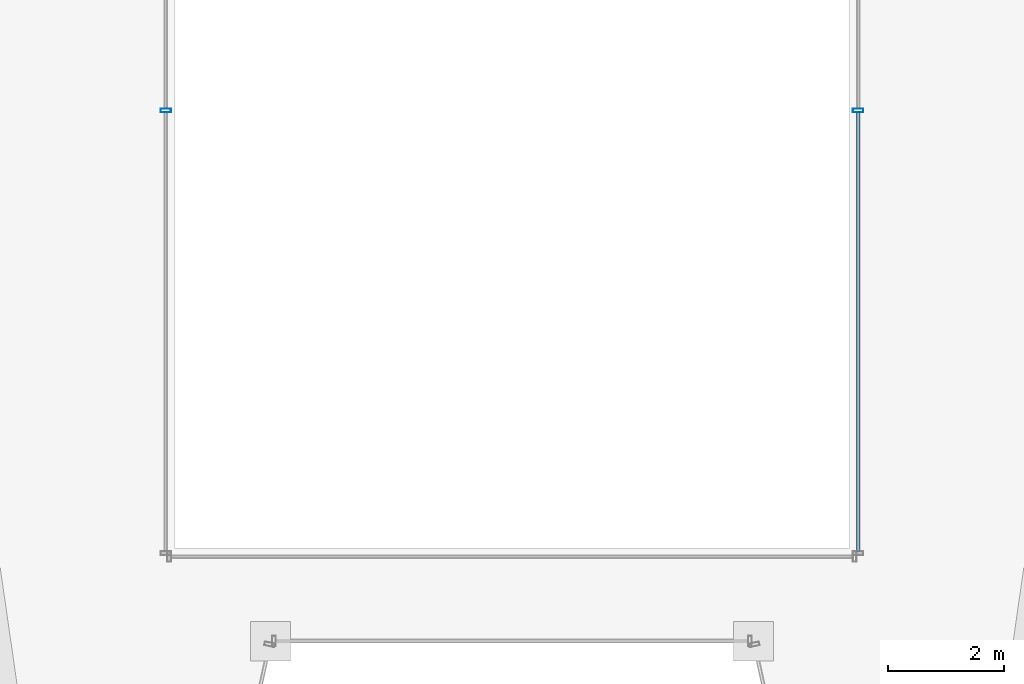
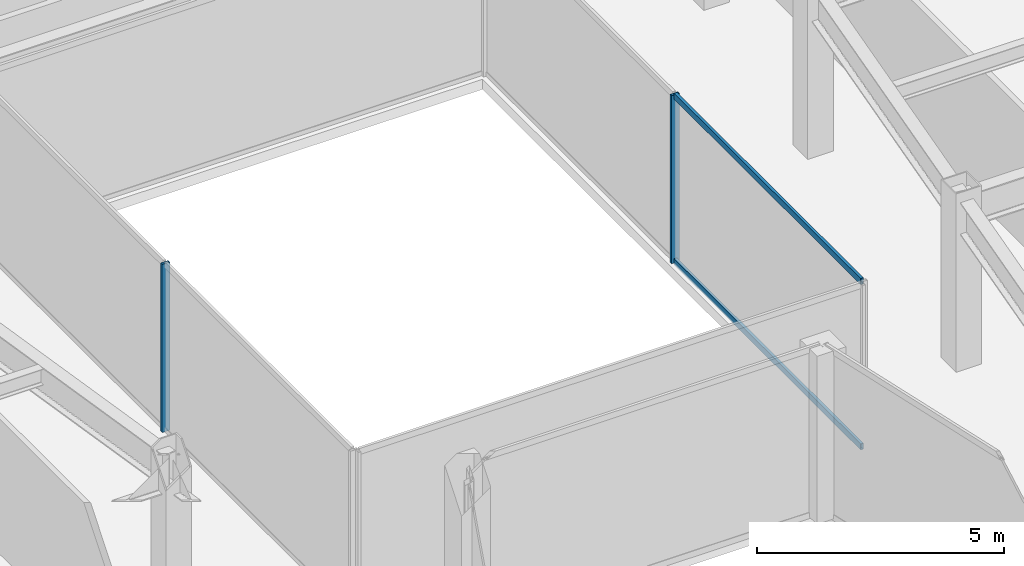
# One storey, part 11 of 37: 4 members, 2 elements without a shape of their own.
"""IFC4 building model written with IfcOpenShell, lengths in metres."""

from ifc_helpers import new_model, si_unit, direction, frame, origin, origin_2d, place, context, subcontext, project, spatial, hollow_rectangle, extrude, material, material_profile, profile_set, type_object, element, aggregate, save


model = new_model("IFC4")

# Units and contexts
model_context = context("Model", 3, precision=1e-05, world=origin(), true_north=direction((0.0, 1.0)))
body_context = subcontext(model_context, "Body", "Model", "MODEL_VIEW")
ifc_project = project(units=[si_unit("LENGTHUNIT", "METRE"), si_unit("AREAUNIT", "SQUARE_METRE"), si_unit("VOLUMEUNIT", "CUBIC_METRE"), si_unit("PLANEANGLEUNIT", "RADIAN"), si_unit("MASSUNIT", "GRAM", prefix="KILO")], contexts=[model_context])

# Site, building, storey
site_placement = place(None, origin())
site = spatial("IfcSite", under=ifc_project, at=site_placement, CompositionType="ELEMENT")
building_placement = place(site_placement, origin())
building = spatial("IfcBuilding", under=site, at=building_placement, Name="Saevonmaru Cultural Tower", CompositionType="ELEMENT")
storey_placement = place(building_placement, frame((0.0, 0.0, 114.800048828125)))
storey = spatial("IfcBuildingStorey", under=building, at=storey_placement, Name="L24", CompositionType="ELEMENT", Elevation=114.800048828125)

# Curtain wall, member
ifc_material = material(Name="Satin Bronze Anodised Aluminium", Category="aluminium")
curtain_wall_type = type_object("IfcCurtainWallType", Name="CW-ATR-GLZ", PredefinedType="NOTDEFINED", material=ifc_material)
curtain_wall_1_placement = place(storey_placement, origin())
curtain_wall_1 = element("IfcCurtainWall", 1, at=curtain_wall_1_placement, inside=storey, type_object=curtain_wall_type, Name="L24 Vertical Atrium Glazed Smoke Screen 2", PredefinedType="NOTDEFINED")
ifc_material_profile_1 = material_profile(ifc_material, hollow_rectangle(XDim=0.06494140625, YDim=0.179931640625, WallThickness=0.00390625, at=origin_2d()), Name="ALU-MULL-180x65x4")
ifc_profile_set_1 = profile_set([ifc_material_profile_1], Name="Satin Bronze Anodised Aluminium")
member_type_1 = type_object("IfcMemberType", Name="ML-CW-INT-180x65", PredefinedType="MULLION", material=ifc_profile_set_1)
member_1_placement = place(storey_placement, frame((35.949951171875, 29.919921875, 0.0), z_axis=(0.0, 0.0, 1.0), x_axis=(0.0, 1.0, 0.0)))
member_1 = element("IfcMember", 2, at=member_1_placement, type_object=member_type_1, Name="CW-ATR-L24-2 mullion 2", PredefinedType="MULLION", context=body_context, shape_type="SweptSolid", body=[
    extrude(hollow_rectangle(XDim=0.06494140625, YDim=0.179931640625, WallThickness=0.00390625, at=origin_2d()), origin(), (0.0, 0.0, 1.0), 4.14990234375),
])

curtain_wall_2_placement = place(storey_placement, origin())
curtain_wall_2 = element("IfcCurtainWall", 3, at=curtain_wall_2_placement, inside=storey, type_object=curtain_wall_type, Name="L24 Vertical Atrium Glazed Smoke Screen 4", PredefinedType="NOTDEFINED")
member_2_placement = place(storey_placement, frame((24.050048828125, 29.919921875, 0.0), z_axis=(0.0, 0.0, 1.0), x_axis=(0.0, -1.0, 0.0)))
member_2 = element("IfcMember", 4, at=member_2_placement, type_object=member_type_1, Name="CW-ATR-L24-4 mullion 2", PredefinedType="MULLION", context=body_context, shape_type="SweptSolid", body=[
    extrude(hollow_rectangle(XDim=0.06494140625, YDim=0.179931640625, WallThickness=0.00390625, at=origin_2d()), origin(), (0.0, 0.0, 1.0), 4.14990234375),
])
aggregate(curtain_wall_2, [member_2])

# Member
ifc_material_profile_2 = material_profile(ifc_material, hollow_rectangle(XDim=0.06494140625, YDim=0.14990234375, WallThickness=0.00390625, at=origin_2d()), Name="ALU-TRAN-150x65x4")
ifc_profile_set_2 = profile_set([ifc_material_profile_2], Name="Satin Bronze Anodised Aluminium")
member_type_2 = type_object("IfcMemberType", Name="TR-CW-INT-150x65", PredefinedType="USERDEFINED", material=ifc_profile_set_2)
member_3_placement = place(storey_placement, frame((35.949951171875, 22.342529296875, 0.032470703125), z_axis=(0.0, 1.0, 0.0), x_axis=(-1.0, 0.0, 0.0)))
member_3 = element("IfcMember", 5, at=member_3_placement, type_object=member_type_2, Name="CW-ATR-L24-2 transom 1.1", ObjectType="TRANSOM", PredefinedType="USERDEFINED", context=body_context, shape_type="SweptSolid", body=[
    extrude(hollow_rectangle(XDim=0.06494140625, YDim=0.14990234375, WallThickness=0.00390625, at=origin_2d()), origin(), (0.0, 0.0, 1.0), 7.544921875),
])

member_4_placement = place(storey_placement, frame((35.949951171875, 22.342529296875, 4.117431640625), z_axis=(0.0, 1.0, 0.0), x_axis=(-1.0, 0.0, 0.0)))
member_4 = element("IfcMember", 6, at=member_4_placement, type_object=member_type_2, Name="CW-ATR-L24-2 transom 1.2", ObjectType="TRANSOM", PredefinedType="USERDEFINED", context=body_context, shape_type="SweptSolid", body=[
    extrude(hollow_rectangle(XDim=0.06494140625, YDim=0.14990234375, WallThickness=0.00390625, at=origin_2d()), origin(), (0.0, 0.0, 1.0), 7.544921875),
])

aggregate(curtain_wall_1, [member_1, member_3, member_4])

save(model, "model.ifc")
